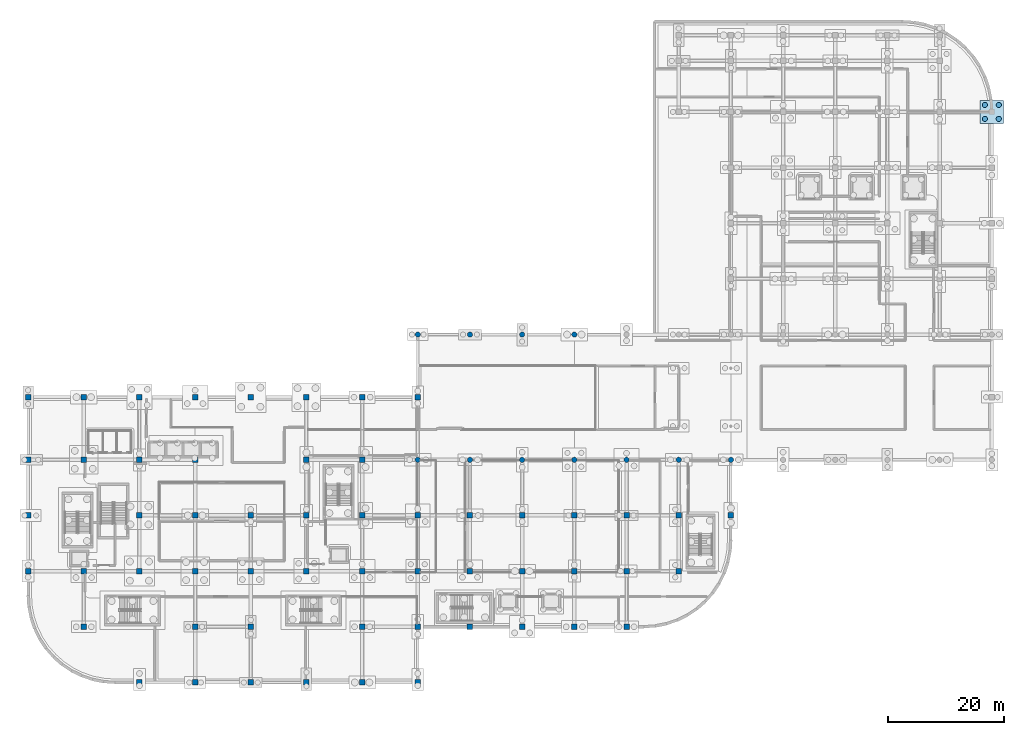
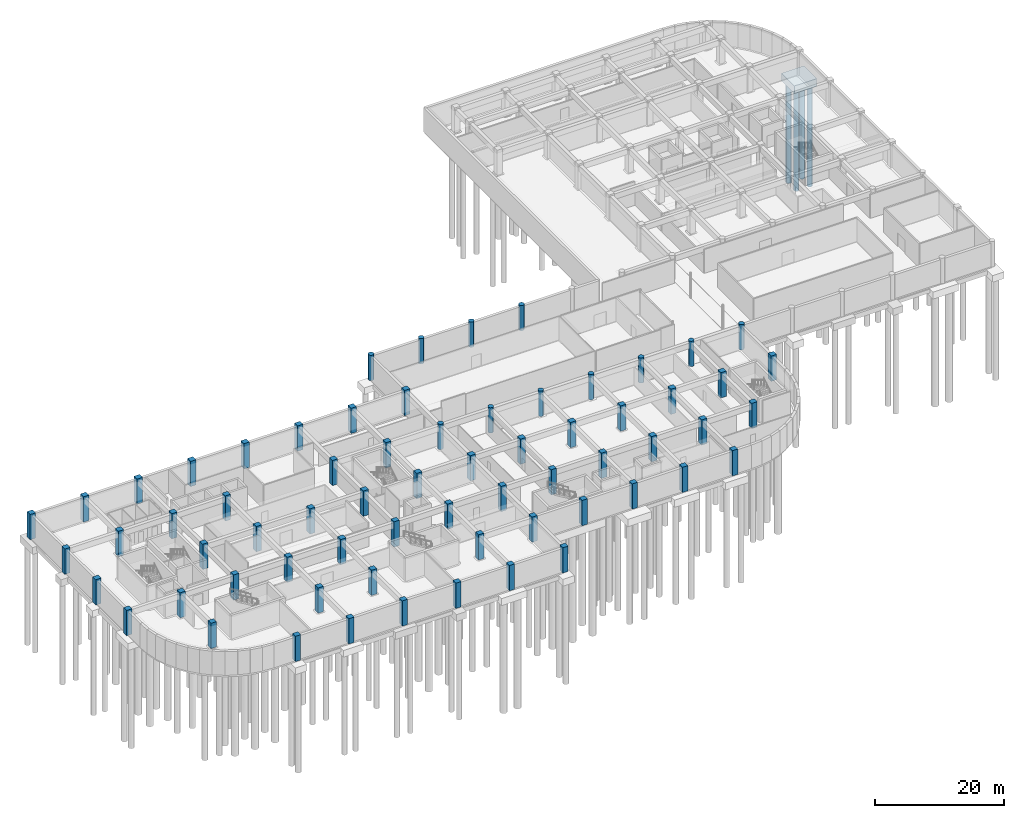
# One storey, part 8 of 47: 66 columns, 4 piles, 1 footing.
"""IFC4 building model written with IfcOpenShell, lengths in metres."""

from ifc_helpers import new_model, si_unit, direction, frame, origin, origin_2d, place, context, subcontext, project, spatial, rectangle, circle, extrude, material, material_profile, profile_set, type_object, element, save


model = new_model("IFC4")

# Units and contexts
model_context = context("Model", 3, precision=1e-05, world=origin(), true_north=direction((0.0, 1.0)))
body_context = subcontext(model_context, "Body", "Model", "MODEL_VIEW")
ifc_project = project(units=[si_unit("LENGTHUNIT", "METRE"), si_unit("AREAUNIT", "SQUARE_METRE"), si_unit("VOLUMEUNIT", "CUBIC_METRE"), si_unit("PLANEANGLEUNIT", "RADIAN"), si_unit("MASSUNIT", "GRAM", prefix="KILO")], contexts=[model_context])

# Site, building, storey
site_placement = place(None, origin())
site = spatial("IfcSite", under=ifc_project, at=site_placement, CompositionType="ELEMENT")
building_placement = place(site_placement, origin())
building = spatial("IfcBuilding", under=site, at=building_placement, Name="Cendralis Terraced Arcade", CompositionType="ELEMENT")
storey_placement = place(building_placement, frame((0.0, 0.0, -4.800048828125)))
storey = spatial("IfcBuildingStorey", under=building, at=storey_placement, Name="B1", CompositionType="ELEMENT", Elevation=-4.800048828125)

# Footing
ifc_material_1 = material(Name="Concrete f'c 35 MPa", Category="concrete")
footing_type = type_object("IfcFootingType", Name="PC-4P-4000x4000x1450", PredefinedType="PILE_CAP", material=ifc_material_1)
footing_placement = place(storey_placement, frame((166.199951171875, 98.39990234375, -1.89990234375), z_axis=(0.0, 0.0, 1.0), x_axis=(1.0, 0.0, 0.0)))
element("IfcFooting", 1, at=footing_placement, inside=storey, type_object=footing_type, Name="Reinforced Concrete Bored Pile Cap CAP-G19-L", PredefinedType="PILE_CAP", context=body_context, shape_type="SweptSolid", body=[
    extrude(rectangle(XDim=4.0, YDim=4.0, at=origin_2d()), origin(), (0.0, 0.0, 1.0), 1.449951171875),
])

# Piles
ifc_material_profile_1 = material_profile(ifc_material_1, circle(Radius=0.449951171875, at=origin_2d()), Name="PILE-D900", Category="LoadBearing")
ifc_profile_set_1 = profile_set([ifc_material_profile_1], Name="Concrete f'c 35 MPa")
pile_type = type_object("IfcPileType", Name="PILE-900", PredefinedType="BORED", material=ifc_profile_set_1)
for number, where, z_axis, x_axis, name in (
    (2, (165.0, 97.199951171875, -1.800048828125), (0.0, 0.0, -1.0), (1.0, 0.0, 0.0), "Bored Concrete Pile PILE-C-CAP-G19-L-4--120_-120"),
    (3, (167.39990234375, 97.199951171875, -1.800048828125), (0.0, 0.0, -1.0), (1.0, 0.0, 0.0), "Bored Concrete Pile PILE-C-CAP-G19-L-4-120_-120"),
    (4, (165.0, 99.60009765625, -1.800048828125), (0.0, 0.0, -1.0), (1.0, 0.0, 0.0), "Bored Concrete Pile PILE-C-CAP-G19-L-4--120_120"),
    (5, (167.39990234375, 99.60009765625, -1.800048828125), (0.0, 0.0, -1.0), (1.0, 0.0, 0.0), "Bored Concrete Pile PILE-C-CAP-G19-L-4-120_120"),
):
    element("IfcPile", number, at=place(storey_placement, frame(where, z_axis=z_axis, x_axis=x_axis)), inside=storey, type_object=pile_type, Name=name, PredefinedType="BORED", context=body_context, shape_type="SweptSolid", body=[
        extrude(circle(Radius=0.449951171875, at=origin_2d()), origin(), (0.0, 0.0, 1.0), 19.10009765625),
    ])

# Columns
ifc_material_2 = material(Name="Concrete f'c 42 MPa", Category="concrete")
ifc_material_profile_2 = material_profile(ifc_material_2, rectangle(XDim=0.949951171875, YDim=0.949951171875, at=origin_2d()), Name="RC-COL-950x950", Category="LoadBearing")
ifc_profile_set_2 = profile_set([ifc_material_profile_2], Name="Concrete f'c 42 MPa")
column_type_1 = type_object("IfcColumnType", Name="COL-950", PredefinedType="COLUMN", material=ifc_profile_set_2)
for number, where, z_axis, x_axis, name in (
    (6, (0.0, 19.199951171875, 0.0), (0.0, 0.0, 1.0), (1.0, 0.0, 0.0), "Reinforced Concrete Column 1-C (B1)"),
    (7, (0.0, 28.800048828125, 0.0), (0.0, 0.0, 1.0), (1.0, 0.0, 0.0), "Reinforced Concrete Column 1-D (B1)"),
    (8, (0.0, 38.39990234375, 0.0), (0.0, 0.0, 1.0), (1.0, 0.0, 0.0), "Reinforced Concrete Column 1-E (B1)"),
    (9, (0.0, 49.199951171875, 0.0), (0.0, 0.0, 1.0), (1.0, 0.0, 0.0), "Reinforced Concrete Column 1-F (B1)"),
    (10, (85.199951171875, 9.60009765625, 0.0), (0.0, 0.0, 1.0), (1.0, 0.0, 0.0), "Reinforced Concrete Column 10-B (B1)"),
    (11, (85.199951171875, 19.199951171875, 0.0), (0.0, 0.0, 1.0), (1.0, 0.0, 0.0), "Reinforced Concrete Column 10-C (B1)"),
    (12, (85.199951171875, 28.800048828125, 0.0), (0.0, 0.0, 1.0), (1.0, 0.0, 0.0), "Reinforced Concrete Column 10-D (B1)"),
    (13, (94.199951171875, 9.60009765625, 0.0), (0.0, 0.0, 1.0), (1.0, 0.0, 0.0), "Reinforced Concrete Column 11-B (B1)"),
    (14, (94.199951171875, 19.199951171875, 0.0), (0.0, 0.0, 1.0), (1.0, 0.0, 0.0), "Reinforced Concrete Column 11-C (B1)"),
    (15, (94.199951171875, 28.800048828125, 0.0), (0.0, 0.0, 1.0), (1.0, 0.0, 0.0), "Reinforced Concrete Column 11-D (B1)"),
    (16, (103.199951171875, 9.60009765625, 0.0), (0.0, 0.0, 1.0), (1.0, 0.0, 0.0), "Reinforced Concrete Column 12-B (B1)"),
    (17, (103.199951171875, 19.199951171875, 0.0), (0.0, 0.0, 1.0), (1.0, 0.0, 0.0), "Reinforced Concrete Column 12-C (B1)"),
    (18, (103.199951171875, 28.800048828125, 0.0), (0.0, 0.0, 1.0), (1.0, 0.0, 0.0), "Reinforced Concrete Column 12-D (B1)"),
    (19, (112.199951171875, 19.199951171875, 0.0), (0.0, 0.0, 1.0), (1.0, 0.0, 0.0), "Reinforced Concrete Column 13-C (B1)"),
    (20, (112.199951171875, 28.800048828125, 0.0), (0.0, 0.0, 1.0), (1.0, 0.0, 0.0), "Reinforced Concrete Column 13-D (B1)"),
    (21, (121.199951171875, 28.800048828125, 0.0), (0.0, 0.0, 1.0), (1.0, 0.0, 0.0), "Reinforced Concrete Column 14-D (B1)"),
    (22, (9.60009765625, 9.60009765625, 0.0), (0.0, 0.0, 1.0), (1.0, 0.0, 0.0), "Reinforced Concrete Column 2-B (B1)"),
    (23, (9.60009765625, 19.199951171875, 0.0), (0.0, 0.0, 1.0), (1.0, 0.0, 0.0), "Reinforced Concrete Column 2-C (B1)"),
    (24, (9.60009765625, 38.39990234375, 0.0), (0.0, 0.0, 1.0), (1.0, 0.0, 0.0), "Reinforced Concrete Column 2-E (B1)"),
    (25, (9.60009765625, 49.199951171875, 0.0), (0.0, 0.0, 1.0), (1.0, 0.0, 0.0), "Reinforced Concrete Column 2-F (B1)"),
    (26, (19.199951171875, 0.0, 0.0), (0.0, 0.0, 1.0), (1.0, 0.0, 0.0), "Reinforced Concrete Column 3-A (B1)"),
    (27, (19.199951171875, 19.199951171875, 0.0), (0.0, 0.0, 1.0), (1.0, 0.0, 0.0), "Reinforced Concrete Column 3-C (B1)"),
    (28, (19.199951171875, 28.800048828125, 0.0), (0.0, 0.0, 1.0), (1.0, 0.0, 0.0), "Reinforced Concrete Column 3-D (B1)"),
    (29, (19.199951171875, 38.39990234375, 0.0), (0.0, 0.0, 1.0), (1.0, 0.0, 0.0), "Reinforced Concrete Column 3-E (B1)"),
    (30, (19.199951171875, 49.199951171875, 0.0), (0.0, 0.0, 1.0), (1.0, 0.0, 0.0), "Reinforced Concrete Column 3-F (B1)"),
    (31, (28.800048828125, 0.0, 0.0), (0.0, 0.0, 1.0), (1.0, 0.0, 0.0), "Reinforced Concrete Column 4-A (B1)"),
    (32, (28.800048828125, 9.60009765625, 0.0), (0.0, 0.0, 1.0), (1.0, 0.0, 0.0), "Reinforced Concrete Column 4-B (B1)"),
    (33, (28.800048828125, 19.199951171875, 0.0), (0.0, 0.0, 1.0), (1.0, 0.0, 0.0), "Reinforced Concrete Column 4-C (B1)"),
    (34, (28.800048828125, 28.800048828125, 0.0), (0.0, 0.0, 1.0), (1.0, 0.0, 0.0), "Reinforced Concrete Column 4-D (B1)"),
    (35, (28.800048828125, 38.39990234375, 0.0), (0.0, 0.0, 1.0), (1.0, 0.0, 0.0), "Reinforced Concrete Column 4-E (B1)"),
    (36, (28.800048828125, 49.199951171875, 0.0), (0.0, 0.0, 1.0), (1.0, 0.0, 0.0), "Reinforced Concrete Column 4-F (B1)"),
    (37, (38.39990234375, 0.0, 0.0), (0.0, 0.0, 1.0), (1.0, 0.0, 0.0), "Reinforced Concrete Column 5-A (B1)"),
    (38, (38.39990234375, 9.60009765625, 0.0), (0.0, 0.0, 1.0), (1.0, 0.0, 0.0), "Reinforced Concrete Column 5-B (B1)"),
    (39, (38.39990234375, 19.199951171875, 0.0), (0.0, 0.0, 1.0), (1.0, 0.0, 0.0), "Reinforced Concrete Column 5-C (B1)"),
    (40, (38.39990234375, 28.800048828125, 0.0), (0.0, 0.0, 1.0), (1.0, 0.0, 0.0), "Reinforced Concrete Column 5-D (B1)"),
    (41, (38.39990234375, 49.199951171875, 0.0), (0.0, 0.0, 1.0), (1.0, 0.0, 0.0), "Reinforced Concrete Column 5-F (B1)"),
    (42, (48.0, 0.0, 0.0), (0.0, 0.0, 1.0), (1.0, 0.0, 0.0), "Reinforced Concrete Column 6-A (B1)"),
    (43, (48.0, 19.199951171875, 0.0), (0.0, 0.0, 1.0), (1.0, 0.0, 0.0), "Reinforced Concrete Column 6-C (B1)"),
    (44, (48.0, 28.800048828125, 0.0), (0.0, 0.0, 1.0), (1.0, 0.0, 0.0), "Reinforced Concrete Column 6-D (B1)"),
    (45, (48.0, 38.39990234375, 0.0), (0.0, 0.0, 1.0), (1.0, 0.0, 0.0), "Reinforced Concrete Column 6-E (B1)"),
    (46, (48.0, 49.199951171875, 0.0), (0.0, 0.0, 1.0), (1.0, 0.0, 0.0), "Reinforced Concrete Column 6-F (B1)"),
    (47, (57.60009765625, 0.0, 0.0), (0.0, 0.0, 1.0), (1.0, 0.0, 0.0), "Reinforced Concrete Column 7-A (B1)"),
    (48, (57.60009765625, 9.60009765625, 0.0), (0.0, 0.0, 1.0), (1.0, 0.0, 0.0), "Reinforced Concrete Column 7-B (B1)"),
    (49, (57.60009765625, 19.199951171875, 0.0), (0.0, 0.0, 1.0), (1.0, 0.0, 0.0), "Reinforced Concrete Column 7-C (B1)"),
    (50, (57.60009765625, 28.800048828125, 0.0), (0.0, 0.0, 1.0), (1.0, 0.0, 0.0), "Reinforced Concrete Column 7-D (B1)"),
    (51, (57.60009765625, 38.39990234375, 0.0), (0.0, 0.0, 1.0), (1.0, 0.0, 0.0), "Reinforced Concrete Column 7-E (B1)"),
    (52, (57.60009765625, 49.199951171875, 0.0), (0.0, 0.0, 1.0), (1.0, 0.0, 0.0), "Reinforced Concrete Column 7-F (B1)"),
    (53, (67.199951171875, 0.0, 0.0), (0.0, 0.0, 1.0), (1.0, 0.0, 0.0), "Reinforced Concrete Column 8-A (B1)"),
    (54, (67.199951171875, 9.60009765625, 0.0), (0.0, 0.0, 1.0), (1.0, 0.0, 0.0), "Reinforced Concrete Column 8-B (B1)"),
    (55, (67.199951171875, 19.199951171875, 0.0), (0.0, 0.0, 1.0), (1.0, 0.0, 0.0), "Reinforced Concrete Column 8-C (B1)"),
    (56, (67.199951171875, 28.800048828125, 0.0), (0.0, 0.0, 1.0), (1.0, 0.0, 0.0), "Reinforced Concrete Column 8-D (B1)"),
    (57, (67.199951171875, 49.199951171875, 0.0), (0.0, 0.0, 1.0), (1.0, 0.0, 0.0), "Reinforced Concrete Column 8-F (B1)"),
    (58, (76.199951171875, 9.60009765625, 0.0), (0.0, 0.0, 1.0), (1.0, 0.0, 0.0), "Reinforced Concrete Column 9-B (B1)"),
    (59, (76.199951171875, 19.199951171875, 0.0), (0.0, 0.0, 1.0), (1.0, 0.0, 0.0), "Reinforced Concrete Column 9-C (B1)"),
    (60, (76.199951171875, 28.800048828125, 0.0), (0.0, 0.0, 1.0), (1.0, 0.0, 0.0), "Reinforced Concrete Column 9-D (B1)"),
):
    element("IfcColumn", number, at=place(storey_placement, frame(where, z_axis=z_axis, x_axis=x_axis)), inside=storey, type_object=column_type_1, Name=name, PredefinedType="COLUMN", context=body_context, shape_type="SweptSolid", body=[
        extrude(rectangle(XDim=0.949951171875, YDim=0.949951171875, at=origin_2d()), origin(), (0.0, 0.0, 1.0), 4.800048828125),
    ])
ifc_material_profile_3 = material_profile(ifc_material_2, circle(Radius=0.449951171875, at=origin_2d()), Name="RC-COL-D900", Category="LoadBearing")
ifc_profile_set_3 = profile_set([ifc_material_profile_3], Name="Concrete f'c 42 MPa")
column_type_2 = type_object("IfcColumnType", Name="COL-D900", PredefinedType="COLUMN", material=ifc_profile_set_3)
for number, where, z_axis, x_axis, name in (
    (61, (85.199951171875, 38.39990234375, 0.0), (0.0, 0.0, 1.0), (1.0, 0.0, 0.0), "Reinforced Concrete Column 10-E (B1)"),
    (62, (85.199951171875, 60.0, 0.0), (0.0, 0.0, 1.0), (1.0, 0.0, 0.0), "Reinforced Concrete Column 10-G (B1)"),
    (63, (94.199951171875, 38.39990234375, 0.0), (0.0, 0.0, 1.0), (1.0, 0.0, 0.0), "Reinforced Concrete Column 11-E (B1)"),
    (64, (94.199951171875, 60.0, 0.0), (0.0, 0.0, 1.0), (1.0, 0.0, 0.0), "Reinforced Concrete Column 11-G (B1)"),
    (65, (103.199951171875, 38.39990234375, 0.0), (0.0, 0.0, 1.0), (1.0, 0.0, 0.0), "Reinforced Concrete Column 12-E (B1)"),
    (66, (112.199951171875, 38.39990234375, 0.0), (0.0, 0.0, 1.0), (1.0, 0.0, 0.0), "Reinforced Concrete Column 13-E (B1)"),
    (67, (121.199951171875, 38.39990234375, 0.0), (0.0, 0.0, 1.0), (1.0, 0.0, 0.0), "Reinforced Concrete Column 14-E (B1)"),
    (68, (67.199951171875, 38.39990234375, 0.0), (0.0, 0.0, 1.0), (1.0, 0.0, 0.0), "Reinforced Concrete Column 8-E (B1)"),
    (69, (67.199951171875, 60.0, 0.0), (0.0, 0.0, 1.0), (1.0, 0.0, 0.0), "Reinforced Concrete Column 8-G (B1)"),
    (70, (76.199951171875, 38.39990234375, 0.0), (0.0, 0.0, 1.0), (1.0, 0.0, 0.0), "Reinforced Concrete Column 9-E (B1)"),
    (71, (76.199951171875, 60.0, 0.0), (0.0, 0.0, 1.0), (1.0, 0.0, 0.0), "Reinforced Concrete Column 9-G (B1)"),
):
    element("IfcColumn", number, at=place(storey_placement, frame(where, z_axis=z_axis, x_axis=x_axis)), inside=storey, type_object=column_type_2, Name=name, PredefinedType="COLUMN", context=body_context, shape_type="SweptSolid", body=[
        extrude(circle(Radius=0.449951171875, at=origin_2d()), origin(), (0.0, 0.0, 1.0), 4.800048828125),
    ])

save(model, "model.ifc")
